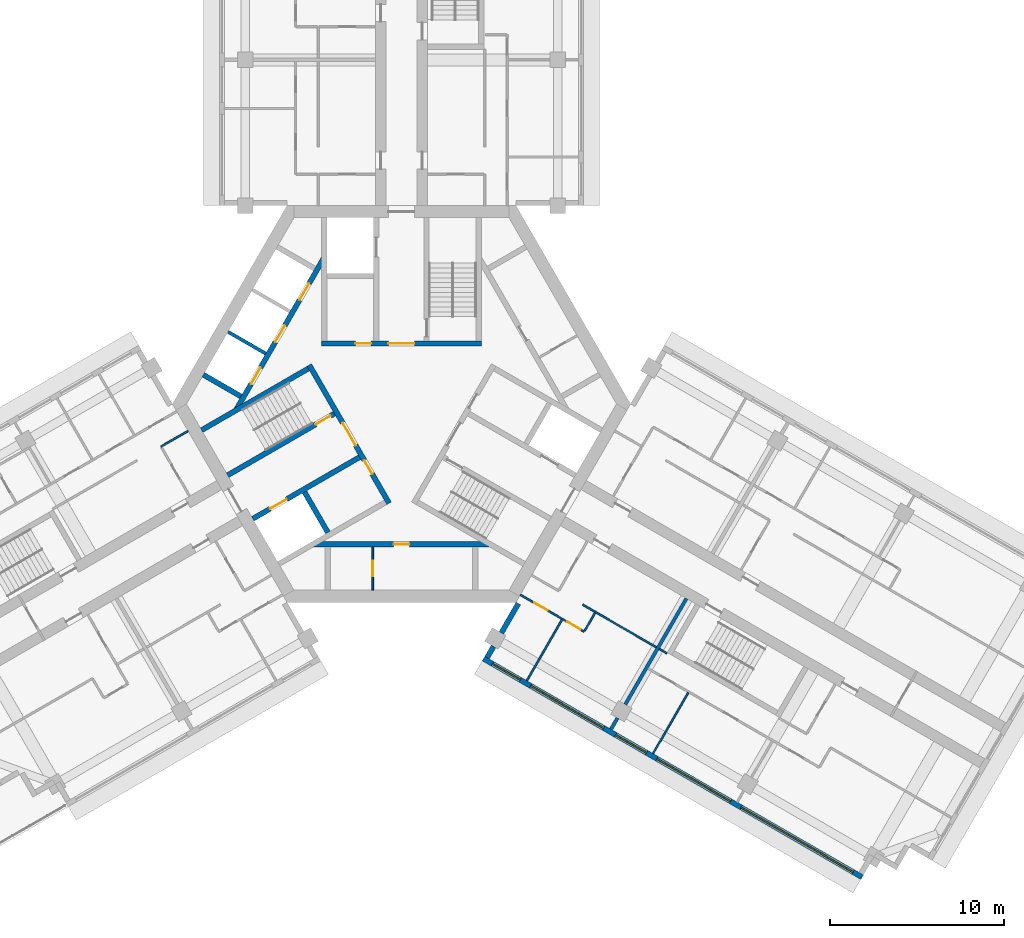
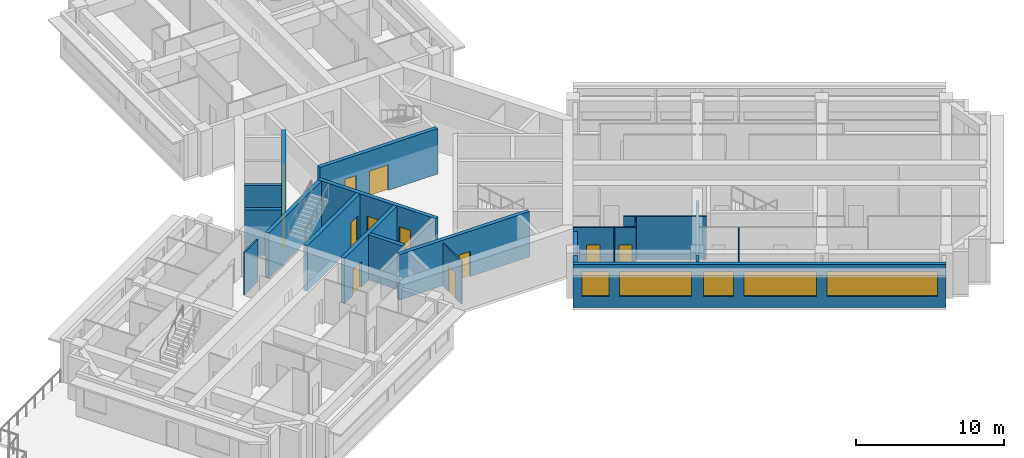
# One storey, part 4 of 11: 23 walls, 13 doors, 5 windows, 18 openings.
"""IFC4 building model written with IfcOpenShell, lengths in metres."""

from ifc_helpers import new_model, si_unit, direction, frame, frame_2d, origin, place, context, subcontext, project, spatial, rectangle, extrude, material, layer, layer_set, type_object, element, fill, save


model = new_model("IFC4")

# Units and contexts
model_context = context("Model", 3, precision=1e-05, world=origin(), true_north=direction((0.0, 1.0)))
body_context = subcontext(model_context, "Body", "Model", "MODEL_VIEW")
ifc_project = project(units=[si_unit("LENGTHUNIT", "METRE"), si_unit("AREAUNIT", "SQUARE_METRE"), si_unit("VOLUMEUNIT", "CUBIC_METRE"), si_unit("PLANEANGLEUNIT", "RADIAN"), si_unit("MASSUNIT", "GRAM", prefix="KILO")], contexts=[model_context])

# Site, building, storey
site_placement = place(None, origin())
site = spatial("IfcSite", under=ifc_project, at=site_placement, CompositionType="ELEMENT")
building_placement = place(site_placement, origin())
building = spatial("IfcBuilding", under=site, at=building_placement, Name="Impinga Residences", CompositionType="ELEMENT")
storey_placement = place(building_placement, frame((0.0, 0.0, 218.5)))
storey = spatial("IfcBuildingStorey", under=building, at=storey_placement, Name="L54", CompositionType="ELEMENT", Elevation=218.5)

# Wall, opening, door
ifc_material_1 = material(Name="Concrete blockwork", Category="masonry")
ifc_layer_1 = layer(ifc_material_1, 0.10009765625)
ifc_layer_set_1 = layer_set([ifc_layer_1], Name="CP1 core room partition, blockwork 100")
wall_type_1 = type_object("IfcWallType", Name="CP1 core room partition, blockwork 100", PredefinedType="PARTITIONING", material=ifc_layer_set_1)
wall_1_placement = place(storey_placement, frame((-1.64990234375, -8.2314453125, 0.0), z_axis=(0.0, 0.0, 1.0), x_axis=(0.0, -1.0, 0.0)))
wall_1 = element("IfcWall", 1, at=wall_1_placement, inside=storey, type_object=wall_type_1, Name="Core room partition, blockwork L54:CORE:low:ZP1", PredefinedType="PARTITIONING", context=body_context, shape_type="SweptSolid", body=[
    extrude(rectangle(XDim=2.5, YDim=0.10009765625, at=frame_2d((1.25, 0.0))), origin(), (0.0, 0.0, 1.0), 3.530029296875),
])
opening_1_placement = place(wall_1_placement, frame((0.800048828125, 0.0, 0.0)))
opening_1 = element("IfcOpeningElement", 2, at=opening_1_placement, cuts=wall_1, Name="Opening D6", PredefinedType="OPENING", context=body_context, shape_type="SweptSolid", body=[
    extrude(rectangle(XDim=0.89990234375, YDim=2.10009765625, at=frame_2d((0.449951171875, 1.050048828125))), frame((0.0, 0.06005859375, 0.0), z_axis=(0.0, -1.0, 0.0), x_axis=(1.0, 0.0, 0.0)), (0.0, 0.0, 1.0), 0.1201171875),
])
ifc_material_2 = material(Name="Timber door set", Category="wood")
door_type_1 = type_object("IfcDoorType", Name="D6 riser and store door 900x2100", OperationType="SINGLE_SWING_LEFT", PredefinedType="DOOR", material=ifc_material_2)
door_1_placement = place(opening_1_placement, origin())
door_1 = element("IfcDoor", 3, at=door_1_placement, inside=storey, type_object=door_type_1, Name="Residents' storage lockers door", OperationType="SINGLE_SWING_LEFT", OverallHeight=2.10009765625, OverallWidth=0.89990234375, PredefinedType="DOOR", context=body_context, shape_type="SweptSolid", body=[
    extrude(rectangle(XDim=0.89990234375, YDim=2.10009765625, at=frame_2d((0.449951171875, 1.050048828125))), frame((0.0, 0.02490234375, 0.0), z_axis=(0.0, -1.0, 0.0), x_axis=(1.0, 0.0, 0.0)), (0.0, 0.0, 1.0), 0.050048828125),
])
fill(opening_1, door_1)

# Wall, openings, windows
ifc_material_3 = material(Name="Terracotta rainscreen on blockwork", Category="masonry")
ifc_layer_2 = layer(ifc_material_3, 0.300048828125)
ifc_layer_set_2 = layer_set([ifc_layer_2], Name="EW1 external wall, terracotta rainscreen on blockwork 300")
wall_type_2 = type_object("IfcWallType", Name="EW1 external wall, terracotta rainscreen on blockwork 300", PredefinedType="SOLIDWALL", material=ifc_layer_set_2)
wall_2_placement = place(storey_placement, frame((26.548828125, -27.279052734375, 0.0), z_axis=(0.0, 0.0, 1.0), x_axis=(-0.866026832479, 0.499997525421, 0.0)))
wall_2 = element("IfcWall", 4, at=wall_2_placement, inside=storey, type_object=wall_type_2, Name="External wall EW1 L54", PredefinedType="SOLIDWALL", context=body_context, shape_type="SweptSolid", body=[
    extrude(rectangle(XDim=25.199951171875, YDim=0.300048828125, at=frame_2d((12.60009765625, 0.0))), origin(), (0.0, 0.0, 1.0), 3.530029296875),
])
opening_2_placement = place(wall_2_placement, frame((0.60009765625, 0.0, 0.89990234375)))
opening_2 = element("IfcOpeningElement", 5, at=opening_2_placement, cuts=wall_2, Name="Opening W7", PredefinedType="OPENING", context=body_context, shape_type="SweptSolid", body=[
    extrude(rectangle(XDim=7.449951171875, YDim=2.050048828125, at=frame_2d((3.72509765625, 1.02490234375))), frame((0.0, 0.159912109375, 0.0), z_axis=(0.0, -1.0, 0.0), x_axis=(1.0, 0.0, 0.0)), (0.0, 0.0, 1.0), 0.320068359375),
])
opening_3_placement = place(wall_2_placement, frame((8.75, 0.0, 0.89990234375)))
opening_3 = element("IfcOpeningElement", 6, at=opening_3_placement, cuts=wall_2, Name="Opening W16", PredefinedType="OPENING", context=body_context, shape_type="SweptSolid", body=[
    extrude(rectangle(XDim=4.89990234375, YDim=2.050048828125, at=frame_2d((2.449951171875, 1.02490234375))), frame((0.0, 0.159912109375, 0.0), z_axis=(0.0, -1.0, 0.0), x_axis=(1.0, 0.0, 0.0)), (0.0, 0.0, 1.0), 0.320068359375),
])
opening_4_placement = place(wall_2_placement, frame((14.35009765625, 0.0, 0.89990234375)))
opening_4 = element("IfcOpeningElement", 7, at=opening_4_placement, cuts=wall_2, Name="Opening W14", PredefinedType="OPENING", context=body_context, shape_type="SweptSolid", body=[
    extrude(rectangle(XDim=2.050048828125, YDim=2.050048828125, at=frame_2d((1.02490234375, 1.02490234375))), frame((0.0, 0.159912109375, 0.0), z_axis=(0.0, -1.0, 0.0), x_axis=(1.0, 0.0, 0.0)), (0.0, 0.0, 1.0), 0.320068359375),
])
opening_5_placement = place(wall_2_placement, frame((17.199951171875, 0.0, 0.89990234375)))
opening_5 = element("IfcOpeningElement", 8, at=opening_5_placement, cuts=wall_2, Name="Opening W6", PredefinedType="OPENING", context=body_context, shape_type="SweptSolid", body=[
    extrude(rectangle(XDim=4.85009765625, YDim=2.050048828125, at=frame_2d((2.425048828125, 1.02490234375))), frame((0.0, 0.159912109375, 0.0), z_axis=(0.0, -1.0, 0.0), x_axis=(1.0, 0.0, 0.0)), (0.0, 0.0, 1.0), 0.320068359375),
])
opening_6_placement = place(wall_2_placement, frame((22.75, 0.0, 0.89990234375)))
opening_6 = element("IfcOpeningElement", 9, at=opening_6_placement, cuts=wall_2, Name="Opening W15", PredefinedType="OPENING", context=body_context, shape_type="SweptSolid", body=[
    extrude(rectangle(XDim=1.85009765625, YDim=2.050048828125, at=frame_2d((0.925048828125, 1.02490234375))), frame((0.0, 0.159912109375, 0.0), z_axis=(0.0, -1.0, 0.0), x_axis=(1.0, 0.0, 0.0)), (0.0, 0.0, 1.0), 0.320068359375),
])
ifc_material_4 = material(Name="Aluminium window, clear double glazing", Category="aluminium")
window_type_1 = type_object("IfcWindowType", Name="W14 ribbon window 2050x2050", PartitioningType="SINGLE_PANEL", PredefinedType="WINDOW", material=ifc_material_4)
window_1_placement = place(opening_4_placement, origin())
window_1 = element("IfcWindow", 10, at=window_1_placement, inside=storey, type_object=window_type_1, Name="Window L54", OverallHeight=2.050048828125, OverallWidth=2.050048828125, PartitioningType="SINGLE_PANEL", PredefinedType="WINDOW", context=body_context, shape_type="SweptSolid", body=[
    extrude(rectangle(XDim=2.050048828125, YDim=2.050048828125, at=frame_2d((1.02490234375, 1.02490234375))), frame((0.0, 0.030029296875, 0.0), z_axis=(0.0, -1.0, 0.0), x_axis=(1.0, 0.0, 0.0)), (0.0, 0.0, 1.0), 0.06005859375),
])
fill(opening_4, window_1)
window_type_2 = type_object("IfcWindowType", Name="W15 ribbon window 1850x2050", PartitioningType="SINGLE_PANEL", PredefinedType="WINDOW", material=ifc_material_4)
window_2_placement = place(opening_6_placement, origin())
window_2 = element("IfcWindow", 11, at=window_2_placement, inside=storey, type_object=window_type_2, Name="Window L54", OverallHeight=2.050048828125, OverallWidth=1.85009765625, PartitioningType="SINGLE_PANEL", PredefinedType="WINDOW", context=body_context, shape_type="SweptSolid", body=[
    extrude(rectangle(XDim=1.85009765625, YDim=2.050048828125, at=frame_2d((0.925048828125, 1.02490234375))), frame((0.0, 0.030029296875, 0.0), z_axis=(0.0, -1.0, 0.0), x_axis=(1.0, 0.0, 0.0)), (0.0, 0.0, 1.0), 0.06005859375),
])
fill(opening_6, window_2)
window_type_3 = type_object("IfcWindowType", Name="W16 ribbon window 4900x2050", PartitioningType="SINGLE_PANEL", PredefinedType="WINDOW", material=ifc_material_4)
window_3_placement = place(opening_3_placement, origin())
window_3 = element("IfcWindow", 12, at=window_3_placement, inside=storey, type_object=window_type_3, Name="Window L54", OverallHeight=2.050048828125, OverallWidth=4.89990234375, PartitioningType="SINGLE_PANEL", PredefinedType="WINDOW", context=body_context, shape_type="SweptSolid", body=[
    extrude(rectangle(XDim=4.89990234375, YDim=2.050048828125, at=frame_2d((2.449951171875, 1.02490234375))), frame((0.0, 0.030029296875, 0.0), z_axis=(0.0, -1.0, 0.0), x_axis=(1.0, 0.0, 0.0)), (0.0, 0.0, 1.0), 0.06005859375),
])
fill(opening_3, window_3)
window_type_4 = type_object("IfcWindowType", Name="W6 ribbon window 4850x2050", PartitioningType="SINGLE_PANEL", PredefinedType="WINDOW", material=ifc_material_4)
window_4_placement = place(opening_5_placement, origin())
window_4 = element("IfcWindow", 13, at=window_4_placement, inside=storey, type_object=window_type_4, Name="Window L54", OverallHeight=2.050048828125, OverallWidth=4.85009765625, PartitioningType="SINGLE_PANEL", PredefinedType="WINDOW", context=body_context, shape_type="SweptSolid", body=[
    extrude(rectangle(XDim=4.85009765625, YDim=2.050048828125, at=frame_2d((2.425048828125, 1.02490234375))), frame((0.0, 0.030029296875, 0.0), z_axis=(0.0, -1.0, 0.0), x_axis=(1.0, 0.0, 0.0)), (0.0, 0.0, 1.0), 0.06005859375),
])
fill(opening_5, window_4)
window_type_5 = type_object("IfcWindowType", Name="W7 ribbon window 7450x2050", PartitioningType="SINGLE_PANEL", PredefinedType="WINDOW", material=ifc_material_4)
window_5_placement = place(opening_2_placement, origin())
window_5 = element("IfcWindow", 14, at=window_5_placement, inside=storey, type_object=window_type_5, Name="Window L54", OverallHeight=2.050048828125, OverallWidth=7.449951171875, PartitioningType="SINGLE_PANEL", PredefinedType="WINDOW", context=body_context, shape_type="SweptSolid", body=[
    extrude(rectangle(XDim=7.449951171875, YDim=2.050048828125, at=frame_2d((3.72509765625, 1.02490234375))), frame((0.0, 0.030029296875, 0.0), z_axis=(0.0, -1.0, 0.0), x_axis=(1.0, 0.0, 0.0)), (0.0, 0.0, 1.0), 0.06005859375),
])
fill(opening_2, window_5)

# Walls
wall_3_placement = place(storey_placement, frame((4.929931640625, -14.624267578125, 0.0), z_axis=(0.0, 0.0, 1.0), x_axis=(0.499919672301, 0.866071776036, 0.0)))
element("IfcWall", 15, at=wall_3_placement, inside=storey, type_object=wall_type_2, Name="External wall EW1 L54", PredefinedType="SOLIDWALL", context=body_context, shape_type="SweptSolid", body=[
    extrude(rectangle(XDim=0.75, YDim=0.300048828125, at=frame_2d((0.375, 0.0))), origin(), (0.0, 0.0, 1.0), 3.530029296875),
])
wall_4_placement = place(storey_placement, frame((5.7548828125, -13.1953125, 0.0), z_axis=(0.0, 0.0, 1.0), x_axis=(0.500043961785, 0.866000020948, 0.0)))
element("IfcWall", 16, at=wall_4_placement, inside=storey, type_object=wall_type_2, Name="External wall EW1 L54", PredefinedType="SOLIDWALL", context=body_context, shape_type="SweptSolid", body=[
    extrude(rectangle(XDim=1.949951171875, YDim=0.300048828125, at=frame_2d((0.97509765625, 0.0))), origin(), (0.0, 0.0, 1.0), 3.530029296875),
])
ifc_material_5 = material(Name="Gypsum board on steel studs", Category="steel")
ifc_layer_3 = layer(ifc_material_5, 0.10009765625)
ifc_layer_set_3 = layer_set([ifc_layer_3], Name="Gypsum board on steel studs")
wall_type_3 = type_object("IfcWallType", Name="IP1 partition 100", PredefinedType="PARTITIONING", material=ifc_layer_set_3)
wall_5_placement = place(storey_placement, frame((-12.300048828125, -1.558837890625, 0.0), z_axis=(0.0, 0.0, 1.0), x_axis=(-0.866047807691, -0.499961193289, 0.0)))
element("IfcWall", 17, at=wall_5_placement, inside=storey, type_object=wall_type_3, Name="Partition L54-WF1:DIV0", PredefinedType="PARTITIONING", context=body_context, shape_type="SweptSolid", body=[
    extrude(rectangle(XDim=1.800048828125, YDim=0.10009765625, at=frame_2d((0.89990234375, 0.0))), origin(), (0.0, 0.0, 1.0), 3.530029296875),
])
wall_6_placement = place(storey_placement, frame((10.444580078125, -11.57275390625, 0.0), z_axis=(0.0, 0.0, 1.0), x_axis=(0.866023786258, -0.500002801628, 0.0)))
element("IfcWall", 18, at=wall_6_placement, inside=storey, type_object=wall_type_3, Name="Partition L54-EF1:DIV1", PredefinedType="PARTITIONING", context=body_context, shape_type="SweptSolid", body=[
    extrude(rectangle(XDim=4.89990234375, YDim=0.10009765625, at=frame_2d((2.449951171875, 0.0))), origin(), (0.0, 0.0, 1.0), 3.530029296875),
])

# Wall, openings, doors
wall_7_placement = place(storey_placement, frame((6.85009765625, -10.99853515625, 0.0), z_axis=(0.0, 0.0, 1.0), x_axis=(0.866014341725, -0.50001915956, 0.0)))
wall_7 = element("IfcWall", 19, at=wall_7_placement, inside=storey, type_object=wall_type_3, Name="Partition L54-EF1:STRIP", PredefinedType="PARTITIONING", context=body_context, shape_type="SweptSolid", body=[
    extrude(rectangle(XDim=4.249755859375, YDim=0.10009765625, at=frame_2d((2.125, 0.0))), origin(), (0.0, 0.0, 1.0), 3.530029296875),
])
opening_7_placement = place(wall_7_placement, frame((0.925048828125, 0.0, 0.0)))
opening_7 = element("IfcOpeningElement", 20, at=opening_7_placement, cuts=wall_7, Name="Opening D2", PredefinedType="OPENING", context=body_context, shape_type="SweptSolid", body=[
    extrude(rectangle(XDim=0.89990234375, YDim=2.10009765625, at=frame_2d((0.449951171875, 1.050048828125))), frame((0.0, 0.06005859375, 0.0), z_axis=(0.0, -1.0, 0.0), x_axis=(1.0, 0.0, 0.0)), (0.0, 0.0, 1.0), 0.1201171875),
])
opening_8_placement = place(wall_7_placement, frame((3.10009765625, 0.0, 0.0)))
opening_8 = element("IfcOpeningElement", 21, at=opening_8_placement, cuts=wall_7, Name="Opening D2", PredefinedType="OPENING", context=body_context, shape_type="SweptSolid", body=[
    extrude(rectangle(XDim=0.89990234375, YDim=2.10009765625, at=frame_2d((0.449951171875, 1.050048828125))), frame((0.0, 0.06005859375, 0.0), z_axis=(0.0, -1.0, 0.0), x_axis=(1.0, 0.0, 0.0)), (0.0, 0.0, 1.0), 0.1201171875),
])
door_type_2 = type_object("IfcDoorType", Name="D2 internal door 900x2100", OperationType="SINGLE_SWING_LEFT", PredefinedType="DOOR", material=ifc_material_2)
door_2_placement = place(opening_7_placement, origin())
door_2 = element("IfcDoor", 22, at=door_2_placement, inside=storey, type_object=door_type_2, Name="Apartment L54-EF1 room door", OperationType="SINGLE_SWING_LEFT", OverallHeight=2.10009765625, OverallWidth=0.89990234375, PredefinedType="DOOR", context=body_context, shape_type="SweptSolid", body=[
    extrude(rectangle(XDim=0.89990234375, YDim=2.10009765625, at=frame_2d((0.449951171875, 1.050048828125))), frame((0.0, 0.02490234375, 0.0), z_axis=(0.0, -1.0, 0.0), x_axis=(1.0, 0.0, 0.0)), (0.0, 0.0, 1.0), 0.050048828125),
])
fill(opening_7, door_2)
door_3_placement = place(opening_8_placement, origin())
door_3 = element("IfcDoor", 23, at=door_3_placement, inside=storey, type_object=door_type_2, Name="Apartment L54-EF1 room door", OperationType="SINGLE_SWING_RIGHT", OverallHeight=2.10009765625, OverallWidth=0.89990234375, PredefinedType="DOOR", context=body_context, shape_type="SweptSolid", body=[
    extrude(rectangle(XDim=0.89990234375, YDim=2.10009765625, at=frame_2d((0.449951171875, 1.050048828125))), frame((0.0, 0.02490234375, 0.0), z_axis=(0.0, -1.0, 0.0), x_axis=(1.0, 0.0, 0.0)), (0.0, 0.0, 1.0), 0.050048828125),
])
fill(opening_8, door_3)

# Walls
wall_8_placement = place(storey_placement, frame((11.155517578125, -12.041015625, 0.0), z_axis=(0.0, 0.0, 1.0), x_axis=(-0.499880961361, -0.866094119867, 0.0)))
element("IfcWall", 24, at=wall_8_placement, inside=storey, type_object=wall_type_3, Name="Partition L54-EF1:SE1", PredefinedType="PARTITIONING", context=body_context, shape_type="SweptSolid", body=[
    extrude(rectangle(XDim=1.199951171875, YDim=0.10009765625, at=frame_2d((0.60009765625, 0.0))), origin(), (0.0, 0.0, 1.0), 3.530029296875),
])
wall_9_placement = place(storey_placement, frame((9.249755859375, -12.44189453125, 0.0), z_axis=(0.0, 0.0, 1.0), x_axis=(-0.499990325971, -0.866030989016, 0.0)))
element("IfcWall", 25, at=wall_9_placement, inside=storey, type_object=wall_type_3, Name="Partition L54-EF1:OB1", PredefinedType="PARTITIONING", context=body_context, shape_type="SweptSolid", body=[
    extrude(rectangle(XDim=4.0498046875, YDim=0.10009765625, at=frame_2d((2.02490234375, 0.0))), origin(), (0.0, 0.0, 1.0), 3.530029296875),
])
wall_10_placement = place(storey_placement, frame((14.861328125, -14.122802734375, 0.0), z_axis=(0.0, 0.0, 1.0), x_axis=(0.865949687125, -0.500131122175, 0.0)))
element("IfcWall", 26, at=wall_10_placement, inside=storey, type_object=wall_type_3, Name="Partition L54-EF2:DIV0", PredefinedType="PARTITIONING", context=body_context, shape_type="SweptSolid", body=[
    extrude(rectangle(XDim=0.499755859375, YDim=0.10009765625, at=frame_2d((0.25, 0.0))), origin(), (0.0, 0.0, 1.0), 3.530029296875),
])
wall_11_placement = place(storey_placement, frame((16.5244140625, -16.641845703125, 0.0), z_axis=(0.0, 0.0, 1.0), x_axis=(-0.499990325971, -0.866030989016, 0.0)))
element("IfcWall", 27, at=wall_11_placement, inside=storey, type_object=wall_type_3, Name="Partition L54-EF2:OB1", PredefinedType="PARTITIONING", context=body_context, shape_type="SweptSolid", body=[
    extrude(rectangle(XDim=4.0498046875, YDim=0.10009765625, at=frame_2d((2.02490234375, 0.0))), origin(), (0.0, 0.0, 1.0), 3.530029296875),
])
ifc_layer_4 = layer(ifc_material_1, 0.199951171875)
ifc_layer_set_4 = layer_set([ifc_layer_4], Name="PW1 party wall between apartments 200")
wall_type_4 = type_object("IfcWallType", Name="PW1 party wall between apartments 200", PredefinedType="SOLIDWALL", material=ifc_layer_set_4)
wall_12_placement = place(storey_placement, frame((16.424560546875, -11.21484375, 0.0), z_axis=(0.0, 0.0, 1.0), x_axis=(-0.499990246421, -0.866031034943, 0.0)))
element("IfcWall", 28, at=wall_12_placement, inside=storey, type_object=wall_type_4, Name="Party wall between apartments L54-EF1:PARTY", PredefinedType="SOLIDWALL", context=body_context, shape_type="SweptSolid", body=[
    extrude(rectangle(XDim=7.050048828125, YDim=0.199951171875, at=frame_2d((3.52490234375, 0.0))), origin(), (0.0, 0.0, 1.0), 2.47998046875),
])
wall_13_placement = place(storey_placement, frame((12.44970703125, -18.099609375, 0.0), z_axis=(0.0, 0.0, 1.0), x_axis=(-0.499919672301, -0.866071776036, 0.0)))
element("IfcWall", 29, at=wall_13_placement, inside=storey, type_object=wall_type_4, Name="Party wall between apartments L54-EF1:PARTYb", PredefinedType="SOLIDWALL", context=body_context, shape_type="SweptSolid", body=[
    extrude(rectangle(XDim=0.75, YDim=0.199951171875, at=frame_2d((0.375, 0.0))), origin(), (0.0, 0.0, 1.0), 3.530029296875),
])

# Wall, openings, doors
ifc_material_6 = material(Name="Concrete C70/85", Category="concrete")
ifc_layer_5 = layer(ifc_material_6, 0.300048828125)
ifc_layer_set_5 = layer_set([ifc_layer_5], Name="Concrete C70/85")
wall_type_5 = type_object("IfcWallType", Name="SW5 core inner wall, stairs, shafts and lobbies 300", PredefinedType="SHEAR", material=ifc_layer_set_5)
wall_14_placement = place(storey_placement, frame((-4.60009765625, 3.47998046875, 0.0), z_axis=(0.0, 0.0, 1.0), x_axis=(1.0, 0.0, 0.0)))
wall_14 = element("IfcWall", 30, at=wall_14_placement, inside=storey, type_object=wall_type_5, Name="Core wall SW5 N:ZONE L54", PredefinedType="SHEAR", context=body_context, shape_type="SweptSolid", body=[
    extrude(rectangle(XDim=9.2001953125, YDim=0.300048828125, at=frame_2d((4.60009765625, 0.0))), origin(), (0.0, 0.0, 1.0), 3.75),
])
opening_9_placement = place(wall_14_placement, frame((3.85009765625, 0.0, 0.0)))
opening_9 = element("IfcOpeningElement", 31, at=opening_9_placement, cuts=wall_14, Name="Opening D4", PredefinedType="OPENING", context=body_context, shape_type="SweptSolid", body=[
    extrude(rectangle(XDim=1.5, YDim=2.10009765625, at=frame_2d((0.75, 1.050048828125))), frame((0.0, 0.159912109375, 0.0), z_axis=(0.0, -1.0, 0.0), x_axis=(1.0, 0.0, 0.0)), (0.0, 0.0, 1.0), 0.320068359375),
])
opening_10_placement = place(wall_14_placement, frame((1.949951171875, 0.0, 0.0)))
opening_10 = element("IfcOpeningElement", 32, at=opening_10_placement, cuts=wall_14, Name="Opening D6", PredefinedType="OPENING", context=body_context, shape_type="SweptSolid", body=[
    extrude(rectangle(XDim=0.89990234375, YDim=2.10009765625, at=frame_2d((0.449951171875, 1.050048828125))), frame((0.0, 0.159912109375, 0.0), z_axis=(0.0, -1.0, 0.0), x_axis=(1.0, 0.0, 0.0)), (0.0, 0.0, 1.0), 0.320068359375),
])
door_type_3 = type_object("IfcDoorType", Name="D4 lobby door pair 1500x2100", OperationType="DOUBLE_DOOR_DOUBLE_SWING", PredefinedType="DOOR", material=ifc_material_2)
door_4_placement = place(opening_9_placement, origin())
door_4 = element("IfcDoor", 33, at=door_4_placement, inside=storey, type_object=door_type_3, Name="Firefighting lobby door N", OperationType="DOUBLE_DOOR_DOUBLE_SWING", OverallHeight=2.10009765625, OverallWidth=1.5, PredefinedType="DOOR", context=body_context, shape_type="SweptSolid", body=[
    extrude(rectangle(XDim=1.5, YDim=2.10009765625, at=frame_2d((0.75, 1.050048828125))), frame((0.0, 0.02490234375, 0.0), z_axis=(0.0, -1.0, 0.0), x_axis=(1.0, 0.0, 0.0)), (0.0, 0.0, 1.0), 0.050048828125),
])
fill(opening_9, door_4)
door_5_placement = place(opening_10_placement, origin())
door_5 = element("IfcDoor", 34, at=door_5_placement, inside=storey, type_object=door_type_1, Name="Riser door N", OperationType="SINGLE_SWING_LEFT", OverallHeight=2.10009765625, OverallWidth=0.89990234375, PredefinedType="DOOR", context=body_context, shape_type="SweptSolid", body=[
    extrude(rectangle(XDim=0.89990234375, YDim=2.10009765625, at=frame_2d((0.449951171875, 1.050048828125))), frame((0.0, 0.02490234375, 0.0), z_axis=(0.0, -1.0, 0.0), x_axis=(1.0, 0.0, 0.0)), (0.0, 0.0, 1.0), 0.050048828125),
])
fill(opening_10, door_5)

wall_15_placement = place(storey_placement, frame((-0.7138671875, -5.7236328125, 0.0), z_axis=(0.0, 0.0, 1.0), x_axis=(-0.499995050369, 0.866028261437, 0.0)))
wall_15 = element("IfcWall", 35, at=wall_15_placement, inside=storey, type_object=wall_type_5, Name="Core wall SW5 W:ZONE L54", PredefinedType="SHEAR", context=body_context, shape_type="SweptSolid", body=[
    extrude(rectangle(XDim=9.19970703125, YDim=0.300048828125, at=frame_2d((4.599853515625, 0.0))), origin(), (0.0, 0.0, 1.0), 3.75),
])
opening_11_placement = place(wall_15_placement, frame((3.85009765625, 0.0, 0.0)))
opening_11 = element("IfcOpeningElement", 36, at=opening_11_placement, cuts=wall_15, Name="Opening D4", PredefinedType="OPENING", context=body_context, shape_type="SweptSolid", body=[
    extrude(rectangle(XDim=1.5, YDim=2.10009765625, at=frame_2d((0.75, 1.050048828125))), frame((0.0, 0.159912109375, 0.0), z_axis=(0.0, -1.0, 0.0), x_axis=(1.0, 0.0, 0.0)), (0.0, 0.0, 1.0), 0.320068359375),
])
opening_12_placement = place(wall_15_placement, frame((1.949951171875, 0.0, 0.0)))
opening_12 = element("IfcOpeningElement", 37, at=opening_12_placement, cuts=wall_15, Name="Opening D6", PredefinedType="OPENING", context=body_context, shape_type="SweptSolid", body=[
    extrude(rectangle(XDim=0.89990234375, YDim=2.10009765625, at=frame_2d((0.449951171875, 1.050048828125))), frame((0.0, 0.159912109375, 0.0), z_axis=(0.0, -1.0, 0.0), x_axis=(1.0, 0.0, 0.0)), (0.0, 0.0, 1.0), 0.320068359375),
])
door_6_placement = place(opening_11_placement, origin())
door_6 = element("IfcDoor", 38, at=door_6_placement, inside=storey, type_object=door_type_3, Name="Firefighting lobby door W", OperationType="DOUBLE_DOOR_DOUBLE_SWING", OverallHeight=2.10009765625, OverallWidth=1.5, PredefinedType="DOOR", context=body_context, shape_type="SweptSolid", body=[
    extrude(rectangle(XDim=1.5, YDim=2.10009765625, at=frame_2d((0.75, 1.050048828125))), frame((0.0, 0.02490234375, 0.0), z_axis=(0.0, -1.0, 0.0), x_axis=(1.0, 0.0, 0.0)), (0.0, 0.0, 1.0), 0.050048828125),
])
fill(opening_11, door_6)
door_7_placement = place(opening_12_placement, origin())
door_7 = element("IfcDoor", 39, at=door_7_placement, inside=storey, type_object=door_type_1, Name="Riser door W", OperationType="SINGLE_SWING_LEFT", OverallHeight=2.10009765625, OverallWidth=0.89990234375, PredefinedType="DOOR", context=body_context, shape_type="SweptSolid", body=[
    extrude(rectangle(XDim=0.89990234375, YDim=2.10009765625, at=frame_2d((0.449951171875, 1.050048828125))), frame((0.0, 0.02490234375, 0.0), z_axis=(0.0, -1.0, 0.0), x_axis=(1.0, 0.0, 0.0)), (0.0, 0.0, 1.0), 0.050048828125),
])
fill(opening_12, door_7)

# Wall, opening, door
wall_16_placement = place(storey_placement, frame((-3.86865234375, -0.559326171875, 0.0), z_axis=(0.0, 0.0, 1.0), x_axis=(-0.866025859768, -0.499999210213, 0.0)))
wall_16 = element("IfcWall", 40, at=wall_16_placement, inside=storey, type_object=wall_type_5, Name="Core wall SW5 W:ST-IN L54", PredefinedType="SHEAR", context=body_context, shape_type="SweptSolid", body=[
    extrude(rectangle(XDim=7.1015625, YDim=0.300048828125, at=frame_2d((3.55078125, 0.0))), origin(), (0.0, 0.0, 1.0), 3.75),
])
opening_13_placement = place(wall_16_placement, frame((0.25, 0.0, 0.0)))
opening_13 = element("IfcOpeningElement", 41, at=opening_13_placement, cuts=wall_16, Name="Opening D5", PredefinedType="OPENING", context=body_context, shape_type="SweptSolid", body=[
    extrude(rectangle(XDim=1.0, YDim=2.10009765625, at=frame_2d((0.5, 1.050048828125))), frame((0.0, 0.159912109375, 0.0), z_axis=(0.0, -1.0, 0.0), x_axis=(1.0, 0.0, 0.0)), (0.0, 0.0, 1.0), 0.320068359375),
])
door_type_4 = type_object("IfcDoorType", Name="D5 stair door 1000x2100", OperationType="SINGLE_SWING_LEFT", PredefinedType="DOOR", material=ifc_material_2)
door_8_placement = place(opening_13_placement, origin())
door_8 = element("IfcDoor", 42, at=door_8_placement, inside=storey, type_object=door_type_4, Name="Stair door W", OperationType="SINGLE_SWING_LEFT", OverallHeight=2.10009765625, OverallWidth=1.0, PredefinedType="DOOR", context=body_context, shape_type="SweptSolid", body=[
    extrude(rectangle(XDim=1.0, YDim=2.10009765625, at=frame_2d((0.5, 1.050048828125))), frame((0.0, 0.02490234375, 0.0), z_axis=(0.0, -1.0, 0.0), x_axis=(1.0, 0.0, 0.0)), (0.0, 0.0, 1.0), 0.050048828125),
])
fill(opening_13, door_8)

# Wall
wall_17_placement = place(storey_placement, frame((-5.36865234375, 2.038818359375, 0.0), z_axis=(0.0, 0.0, 1.0), x_axis=(-0.866025859768, -0.499999210213, 0.0)))
element("IfcWall", 43, at=wall_17_placement, inside=storey, type_object=wall_type_5, Name="Core wall SW5 W:ST-OUT L54", PredefinedType="SHEAR", context=body_context, shape_type="SweptSolid", body=[
    extrude(rectangle(XDim=7.1015625, YDim=0.300048828125, at=frame_2d((3.55078125, 0.0))), origin(), (0.0, 0.0, 1.0), 3.75),
])

# Wall, opening, door
wall_18_placement = place(storey_placement, frame((-2.418701171875, -3.07080078125, 0.0), z_axis=(0.0, 0.0, 1.0), x_axis=(-0.866025859768, -0.499999210213, 0.0)))
wall_18 = element("IfcWall", 44, at=wall_18_placement, inside=storey, type_object=wall_type_5, Name="Core wall SW5 W:FF-IN L54", PredefinedType="SHEAR", context=body_context, shape_type="SweptSolid", body=[
    extrude(rectangle(XDim=7.1015625, YDim=0.300048828125, at=frame_2d((3.55078125, 0.0))), origin(), (0.0, 0.0, 1.0), 3.75),
])
opening_14_placement = place(wall_18_placement, frame((4.85009765625, 0.0, 0.0)))
opening_14 = element("IfcOpeningElement", 45, at=opening_14_placement, cuts=wall_18, Name="Opening LD2", PredefinedType="OPENING", context=body_context, shape_type="SweptSolid", body=[
    extrude(rectangle(XDim=1.10009765625, YDim=2.10009765625, at=frame_2d((0.550048828125, 1.050048828125))), frame((0.0, 0.159912109375, 0.0), z_axis=(0.0, -1.0, 0.0), x_axis=(1.0, 0.0, 0.0)), (0.0, 0.0, 1.0), 0.320068359375),
])
ifc_material_7 = material(Name="Steel lift landing door", Category="steel")
door_type_5 = type_object("IfcDoorType", Name="LD2 firefighting lift landing door 1100x2100", OperationType="DOUBLE_DOOR_SLIDING", PredefinedType="DOOR", material=ifc_material_7)
door_9_placement = place(opening_14_placement, origin())
door_9 = element("IfcDoor", 46, at=door_9_placement, inside=storey, type_object=door_type_5, Name="Firefighting lift landing door F2", OperationType="DOUBLE_DOOR_SLIDING", OverallHeight=2.10009765625, OverallWidth=1.10009765625, PredefinedType="DOOR", context=body_context, shape_type="SweptSolid", body=[
    extrude(rectangle(XDim=1.10009765625, YDim=2.10009765625, at=frame_2d((0.550048828125, 1.050048828125))), frame((0.0, 0.02490234375, 0.0), z_axis=(0.0, -1.0, 0.0), x_axis=(1.0, 0.0, 0.0)), (0.0, 0.0, 1.0), 0.050048828125),
])
fill(opening_14, door_9)

# Wall
wall_19_placement = place(storey_placement, frame((-4.2412109375, -7.413818359375, 0.0), z_axis=(0.0, 0.0, 1.0), x_axis=(-0.500048589285, 0.86599734893, 0.0)))
element("IfcWall", 47, at=wall_19_placement, inside=storey, type_object=wall_type_5, Name="Core wall SW5 W:FF-RS L54", PredefinedType="SHEAR", context=body_context, shape_type="SweptSolid", body=[
    extrude(rectangle(XDim=2.699951171875, YDim=0.300048828125, at=frame_2d((1.35009765625, 0.0))), origin(), (0.0, 0.0, 1.0), 3.75),
])

# Wall, opening, door
wall_20_placement = place(storey_placement, frame((5.09765625, -8.08154296875, 0.0), z_axis=(0.0, 0.0, 1.0), x_axis=(-1.0, 0.0, 0.0)))
wall_20 = element("IfcWall", 48, at=wall_20_placement, inside=storey, type_object=wall_type_5, Name="Core wall SW5 N:BANK-FRONT L54", PredefinedType="SHEAR", context=body_context, shape_type="SweptSolid", body=[
    extrude(rectangle(XDim=10.1953125, YDim=0.300048828125, at=frame_2d((5.09765625, 0.0))), origin(), (0.0, 0.0, 1.0), 3.75),
])
opening_15_placement = place(wall_20_placement, frame((4.647705078125, 0.0, 0.0)))
opening_15 = element("IfcOpeningElement", 49, at=opening_15_placement, cuts=wall_20, Name="Opening D6", PredefinedType="OPENING", context=body_context, shape_type="SweptSolid", body=[
    extrude(rectangle(XDim=0.89990234375, YDim=2.10009765625, at=frame_2d((0.449951171875, 1.050048828125))), frame((0.0, 0.159912109375, 0.0), z_axis=(0.0, -1.0, 0.0), x_axis=(1.0, 0.0, 0.0)), (0.0, 0.0, 1.0), 0.320068359375),
])
door_10_placement = place(opening_15_placement, origin())
door_10 = element("IfcDoor", 50, at=door_10_placement, inside=storey, type_object=door_type_1, Name="Residents' study door", OperationType="SINGLE_SWING_LEFT", OverallHeight=2.10009765625, OverallWidth=0.89990234375, PredefinedType="DOOR", context=body_context, shape_type="SweptSolid", body=[
    extrude(rectangle(XDim=0.89990234375, YDim=2.10009765625, at=frame_2d((0.449951171875, 1.050048828125))), frame((0.0, 0.02490234375, 0.0), z_axis=(0.0, -1.0, 0.0), x_axis=(1.0, 0.0, 0.0)), (0.0, 0.0, 1.0), 0.050048828125),
])
fill(opening_15, door_10)

# Wall, openings, doors
wall_21_placement = place(storey_placement, frame((-9.547607421875, -0.3740234375, 0.0), z_axis=(0.0, 0.0, 1.0), x_axis=(0.500002290144, 0.866024081565, 0.0)))
wall_21 = element("IfcWall", 51, at=wall_21_placement, inside=storey, type_object=wall_type_5, Name="Core wall SW5 E:BANK-FRONT L54", PredefinedType="SHEAR", context=body_context, shape_type="SweptSolid", body=[
    extrude(rectangle(XDim=10.1953125, YDim=0.300048828125, at=frame_2d((5.09765625, 0.0))), origin(), (0.0, 0.0, 1.0), 3.75),
])
opening_16_placement = place(wall_21_placement, frame((1.74755859375, 0.0, 0.0)))
opening_16 = element("IfcOpeningElement", 52, at=opening_16_placement, cuts=wall_21, Name="Opening LD1", PredefinedType="OPENING", context=body_context, shape_type="SweptSolid", body=[
    extrude(rectangle(XDim=1.10009765625, YDim=2.10009765625, at=frame_2d((0.550048828125, 1.050048828125))), frame((0.0, 0.159912109375, 0.0), z_axis=(0.0, -1.0, 0.0), x_axis=(1.0, 0.0, 0.0)), (0.0, 0.0, 1.0), 0.320068359375),
])
opening_17_placement = place(wall_21_placement, frame((4.547607421875, 0.0, 0.0)))
opening_17 = element("IfcOpeningElement", 53, at=opening_17_placement, cuts=wall_21, Name="Opening LD1", PredefinedType="OPENING", context=body_context, shape_type="SweptSolid", body=[
    extrude(rectangle(XDim=1.10009765625, YDim=2.10009765625, at=frame_2d((0.550048828125, 1.050048828125))), frame((0.0, 0.159912109375, 0.0), z_axis=(0.0, -1.0, 0.0), x_axis=(1.0, 0.0, 0.0)), (0.0, 0.0, 1.0), 0.320068359375),
])
opening_18_placement = place(wall_21_placement, frame((7.34765625, 0.0, 0.0)))
opening_18 = element("IfcOpeningElement", 54, at=opening_18_placement, cuts=wall_21, Name="Opening LD1", PredefinedType="OPENING", context=body_context, shape_type="SweptSolid", body=[
    extrude(rectangle(XDim=1.10009765625, YDim=2.10009765625, at=frame_2d((0.550048828125, 1.050048828125))), frame((0.0, 0.159912109375, 0.0), z_axis=(0.0, -1.0, 0.0), x_axis=(1.0, 0.0, 0.0)), (0.0, 0.0, 1.0), 0.320068359375),
])
door_type_6 = type_object("IfcDoorType", Name="LD1 passenger lift landing door 1100x2100", OperationType="DOUBLE_DOOR_SLIDING", PredefinedType="DOOR", material=ifc_material_7)
door_11_placement = place(opening_16_placement, origin())
door_11 = element("IfcDoor", 55, at=door_11_placement, inside=storey, type_object=door_type_6, Name="Lift landing door P7", OperationType="DOUBLE_DOOR_SLIDING", OverallHeight=2.10009765625, OverallWidth=1.10009765625, PredefinedType="DOOR", context=body_context, shape_type="SweptSolid", body=[
    extrude(rectangle(XDim=1.10009765625, YDim=2.10009765625, at=frame_2d((0.550048828125, 1.050048828125))), frame((0.0, 0.02490234375, 0.0), z_axis=(0.0, -1.0, 0.0), x_axis=(1.0, 0.0, 0.0)), (0.0, 0.0, 1.0), 0.050048828125),
])
fill(opening_16, door_11)
door_12_placement = place(opening_17_placement, origin())
door_12 = element("IfcDoor", 56, at=door_12_placement, inside=storey, type_object=door_type_6, Name="Lift landing door P8", OperationType="DOUBLE_DOOR_SLIDING", OverallHeight=2.10009765625, OverallWidth=1.10009765625, PredefinedType="DOOR", context=body_context, shape_type="SweptSolid", body=[
    extrude(rectangle(XDim=1.10009765625, YDim=2.10009765625, at=frame_2d((0.550048828125, 1.050048828125))), frame((0.0, 0.02490234375, 0.0), z_axis=(0.0, -1.0, 0.0), x_axis=(1.0, 0.0, 0.0)), (0.0, 0.0, 1.0), 0.050048828125),
])
fill(opening_17, door_12)
door_13_placement = place(opening_18_placement, origin())
door_13 = element("IfcDoor", 57, at=door_13_placement, inside=storey, type_object=door_type_6, Name="Lift landing door P9", OperationType="DOUBLE_DOOR_SLIDING", OverallHeight=2.10009765625, OverallWidth=1.10009765625, PredefinedType="DOOR", context=body_context, shape_type="SweptSolid", body=[
    extrude(rectangle(XDim=1.10009765625, YDim=2.10009765625, at=frame_2d((0.550048828125, 1.050048828125))), frame((0.0, 0.02490234375, 0.0), z_axis=(0.0, -1.0, 0.0), x_axis=(1.0, 0.0, 0.0)), (0.0, 0.0, 1.0), 0.050048828125),
])
fill(opening_18, door_13)

# Walls
wall_22_placement = place(storey_placement, frame((-9.253662109375, 0.43505859375, 0.0), z_axis=(0.0, 0.0, 1.0), x_axis=(-0.866022959057, 0.500004234368, 0.0)))
element("IfcWall", 58, at=wall_22_placement, inside=storey, type_object=wall_type_5, Name="Core wall SW5 E:BANK-L L54", PredefinedType="SHEAR", context=body_context, shape_type="SweptSolid", body=[
    extrude(rectangle(XDim=2.5, YDim=0.300048828125, at=frame_2d((1.25, 0.0))), origin(), (0.0, 0.0, 1.0), 3.75),
])
ifc_layer_6 = layer(ifc_material_6, 0.199951171875)
ifc_layer_set_6 = layer_set([ifc_layer_6], Name="Concrete C70/85")
wall_type_6 = type_object("IfcWallType", Name="SW6 lift shaft divider wall 200", PredefinedType="SHEAR", material=ifc_layer_set_6)
wall_23_placement = place(storey_placement, frame((-7.82861328125, 2.9033203125, 0.0), z_axis=(0.0, 0.0, 1.0), x_axis=(-0.866047370643, 0.499961950354, 0.0)))
element("IfcWall", 59, at=wall_23_placement, inside=storey, type_object=wall_type_6, Name="Core wall SW6 E:BANK-D1 L54", PredefinedType="SHEAR", context=body_context, shape_type="SweptSolid", body=[
    extrude(rectangle(XDim=2.500244140625, YDim=0.199951171875, at=frame_2d((1.25, 0.0))), origin(), (0.0, 0.0, 1.0), 3.75),
])

save(model, "model.ifc")
